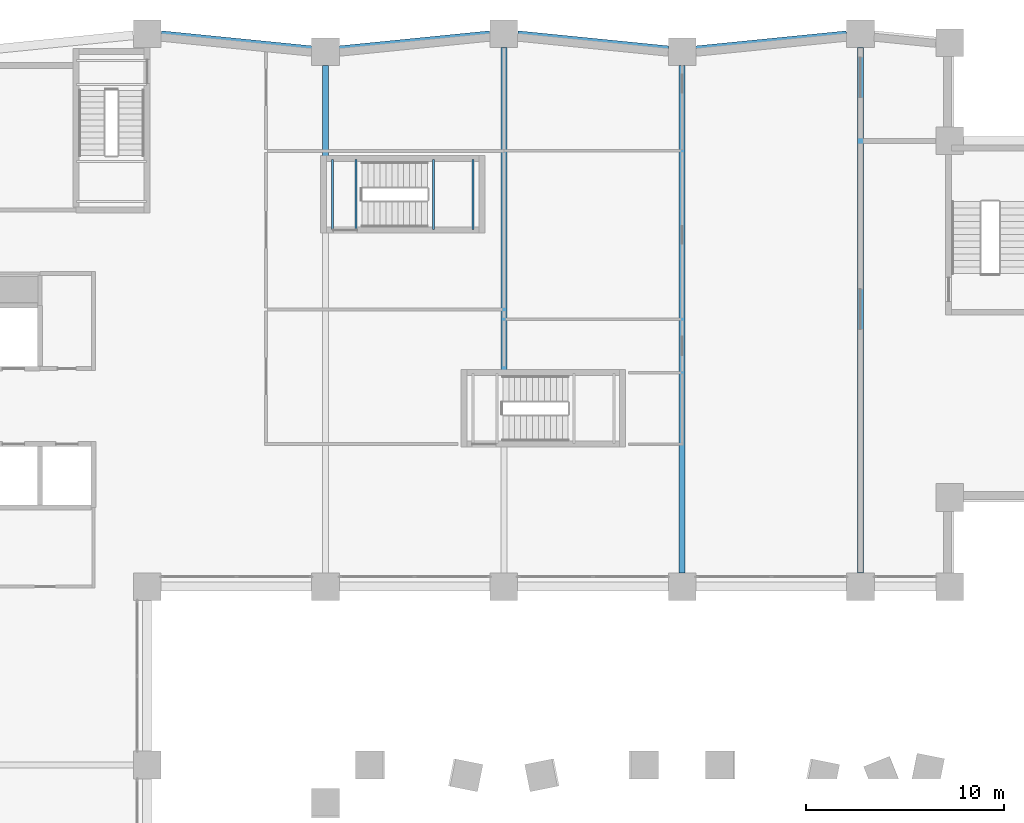
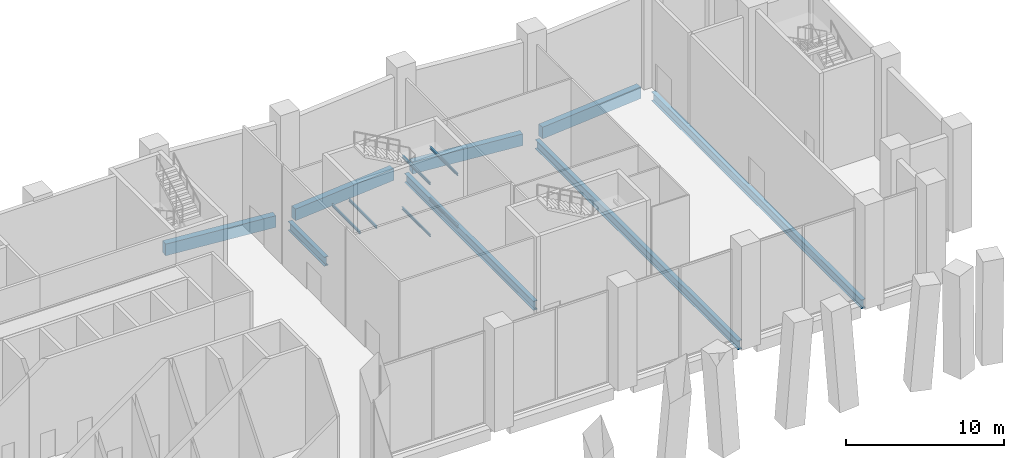
# One storey, part 7 of 19: 14 beams.
"""IFC4 building model written with IfcOpenShell, lengths in metres."""

from ifc_helpers import new_model, si_unit, direction, frame, origin, origin_2d, place, context, subcontext, project, spatial, rectangle, i_section, extrude, material, material_profile, profile_set, type_object, element, save


model = new_model("IFC4")

# Units and contexts
model_context = context("Model", 3, precision=1e-05, world=origin(), true_north=direction((0.0, 1.0)))
body_context = subcontext(model_context, "Body", "Model", "MODEL_VIEW")
ifc_project = project(units=[si_unit("LENGTHUNIT", "METRE"), si_unit("AREAUNIT", "SQUARE_METRE"), si_unit("VOLUMEUNIT", "CUBIC_METRE"), si_unit("PLANEANGLEUNIT", "RADIAN"), si_unit("MASSUNIT", "GRAM", prefix="KILO")], contexts=[model_context])

# Site, building, storey
site_placement = place(None, origin())
site = spatial("IfcSite", under=ifc_project, at=site_placement, CompositionType="ELEMENT")
building_placement = place(site_placement, origin())
building = spatial("IfcBuilding", under=site, at=building_placement, Name="Brondeck Convention Tower", CompositionType="ELEMENT")
storey_placement = place(building_placement, frame((0.0, 0.0, 19.5)))
storey = spatial("IfcBuildingStorey", under=building, at=storey_placement, Name="L03", CompositionType="ELEMENT", Elevation=19.5)

# Beams
ifc_material_1 = material(Name="Concrete C80/95", Category="concrete")
ifc_material_profile_1 = material_profile(ifc_material_1, rectangle(XDim=0.449951171875, YDim=0.89990234375, at=origin_2d()), Name="Edge beam 450x900 Concrete C80/95")
ifc_profile_set_1 = profile_set([ifc_material_profile_1], Name="Concrete C80/95")
beam_type_1 = type_object("IfcBeamType", Name="Edge beam 450x900 Concrete C80/95", PredefinedType="BEAM", material=ifc_profile_set_1)
for number, where, z_axis, x_axis, name in (
    (1, (62.300048828125, 63.830078125, -0.449951171875), (-0.99503719021, -0.099503719021, 0.0), (0.099503719021, -0.99503719021, 0.0), "STR-SP-L03-021"),
    (2, (53.300048828125, 63.070068359375, -0.449951171875), (-0.99503719021, 0.099503719021, 0.0), (-0.099503719021, -0.99503719021, 0.0), "STR-SP-L03-022"),
    (3, (44.300048828125, 63.830078125, -0.449951171875), (-0.99503719021, -0.099503719021, 0.0), (0.099503719021, -0.99503719021, 0.0), "STR-SP-L03-023"),
    (4, (35.300048828125, 63.070068359375, -0.449951171875), (-0.99503719021, 0.099503719021, 0.0), (-0.099503719021, -0.99503719021, 0.0), "STR-SP-L03-024"),
):
    element("IfcBeam", number, at=place(storey_placement, frame(where, z_axis=z_axis, x_axis=x_axis)), inside=storey, type_object=beam_type_1, Name=name, PredefinedType="BEAM", context=body_context, shape_type="SweptSolid", body=[
        extrude(rectangle(XDim=0.449951171875, YDim=0.89990234375, at=origin_2d()), origin(), (0.0, 0.0, 1.0), 7.637939453125),
    ])
ifc_material_2 = material(Name="Steel S355", Category="steel")
ifc_material_profile_2 = material_profile(ifc_material_2, i_section(OverallWidth=0.300048828125, OverallDepth=0.699951171875, WebThickness=0.01708984375, FlangeThickness=0.031982421875, FilletRadius=0.027099609375, at=origin_2d()), Name="HEB 700")
ifc_profile_set_2 = profile_set([ifc_material_profile_2], Name="Steel S355")
beam_type_2 = type_object("IfcBeamType", Name="Girder HEB 700", PredefinedType="BEAM", material=ifc_profile_set_2)
beam_1_placement = place(storey_placement, frame((36.0, 57.719970703125, -0.64990234375), z_axis=(0.0, 1.0, 0.0), x_axis=(-1.0, 0.0, 0.0)))
element("IfcBeam", 5, at=beam_1_placement, inside=storey, type_object=beam_type_2, Name="STR-GR-L03-002", PredefinedType="BEAM", context=body_context, shape_type="SweptSolid", body=[
    extrude(i_section(OverallWidth=0.300048828125, OverallDepth=0.699951171875, WebThickness=0.01708984375, FlangeThickness=0.031982421875, FilletRadius=0.027099609375, at=origin_2d()), origin(), (0.0, 0.0, 1.0), 4.580078125),
])
beam_2_placement = place(storey_placement, frame((45.0, 46.919921875, -0.64990234375), z_axis=(0.0, 1.0, 0.0), x_axis=(-1.0, 0.0, 0.0)))
element("IfcBeam", 6, at=beam_2_placement, inside=storey, type_object=beam_type_2, Name="STR-GR-L03-004", PredefinedType="BEAM", context=body_context, shape_type="SweptSolid", body=[
    extrude(i_section(OverallWidth=0.300048828125, OverallDepth=0.699951171875, WebThickness=0.01708984375, FlangeThickness=0.031982421875, FilletRadius=0.027099609375, at=origin_2d()), origin(), (0.0, 0.0, 1.0), 16.280029296875),
])
beam_3_placement = place(storey_placement, frame((54.0, 36.699951171875, -0.64990234375), z_axis=(0.0, 1.0, 0.0), x_axis=(-1.0, 0.0, 0.0)))
element("IfcBeam", 7, at=beam_3_placement, inside=storey, type_object=beam_type_2, Name="STR-GR-L03-005", PredefinedType="BEAM", context=body_context, shape_type="SweptSolid", body=[
    extrude(i_section(OverallWidth=0.300048828125, OverallDepth=0.699951171875, WebThickness=0.01708984375, FlangeThickness=0.031982421875, FilletRadius=0.027099609375, at=origin_2d()), origin(), (0.0, 0.0, 1.0), 25.60009765625),
])
beam_4_placement = place(storey_placement, frame((63.0, 36.699951171875, -0.64990234375), z_axis=(0.0, 1.0, 0.0), x_axis=(-1.0, 0.0, 0.0)))
element("IfcBeam", 8, at=beam_4_placement, inside=storey, type_object=beam_type_2, Name="STR-GR-L03-006", PredefinedType="BEAM", context=body_context, shape_type="SweptSolid", body=[
    extrude(i_section(OverallWidth=0.300048828125, OverallDepth=0.699951171875, WebThickness=0.01708984375, FlangeThickness=0.031982421875, FilletRadius=0.027099609375, at=origin_2d()), origin(), (0.0, 0.0, 1.0), 26.5),
])
ifc_material_profile_3 = material_profile(ifc_material_2, i_section(OverallWidth=0.10009765625, OverallDepth=0.199951171875, WebThickness=0.005615234375, FlangeThickness=0.008544921875, FilletRadius=0.011962890625, at=origin_2d()), Name="IPE200")
ifc_profile_set_3 = profile_set([ifc_material_profile_3], Name="Steel S355")
beam_type_3 = type_object("IfcBeamType", Name="Landing ledger beam IPE 200", PredefinedType="BEAM", material=ifc_profile_set_3)
for number, where, z_axis, x_axis, name in (
    (9, (41.449951171875, 54.030029296875, 1.64990234375), (0.0, 1.0, 0.0), (-1.0, 0.0, 0.0), "L03 ST-AE landing beam"),
    (10, (43.449951171875, 54.030029296875, 1.64990234375), (0.0, 1.0, 0.0), (-1.0, 0.0, 0.0), "L03 ST-AE landing beam"),
    (11, (36.35009765625, 54.030029296875, 3.64990234375), (0.0, 1.0, 0.0), (-1.0, 0.0, 0.0), "L03 ST-AE landing beam"),
    (12, (37.550048828125, 54.030029296875, 3.64990234375), (0.0, 1.0, 0.0), (-1.0, 0.0, 0.0), "L03 ST-AE landing beam"),
    (13, (41.449951171875, 54.030029296875, 5.64990234375), (0.0, 1.0, 0.0), (-1.0, 0.0, 0.0), "L03 ST-AE landing beam"),
    (14, (43.449951171875, 54.030029296875, 5.64990234375), (0.0, 1.0, 0.0), (-1.0, 0.0, 0.0), "L03 ST-AE landing beam"),
):
    element("IfcBeam", number, at=place(storey_placement, frame(where, z_axis=z_axis, x_axis=x_axis)), inside=storey, type_object=beam_type_3, Name=name, PredefinedType="BEAM", context=body_context, shape_type="SweptSolid", body=[
        extrude(i_section(OverallWidth=0.10009765625, OverallDepth=0.199951171875, WebThickness=0.005615234375, FlangeThickness=0.008544921875, FilletRadius=0.011962890625, at=origin_2d()), origin(), (0.0, 0.0, 1.0), 3.5400390625),
    ])

save(model, "model.ifc")
